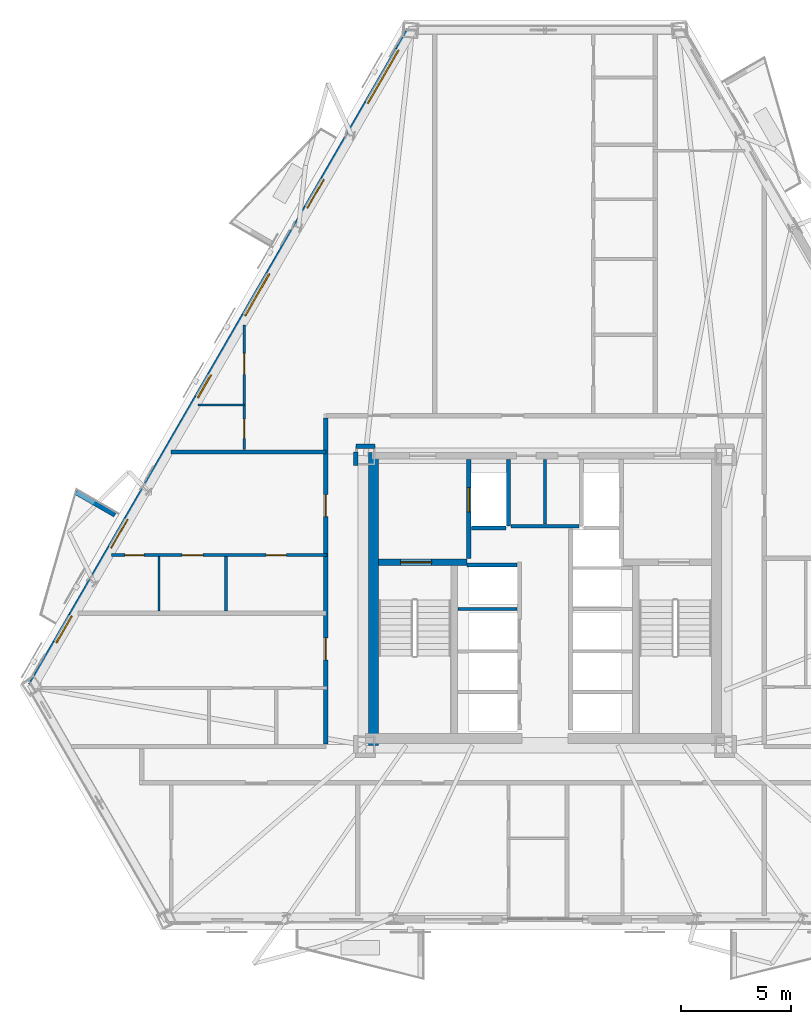
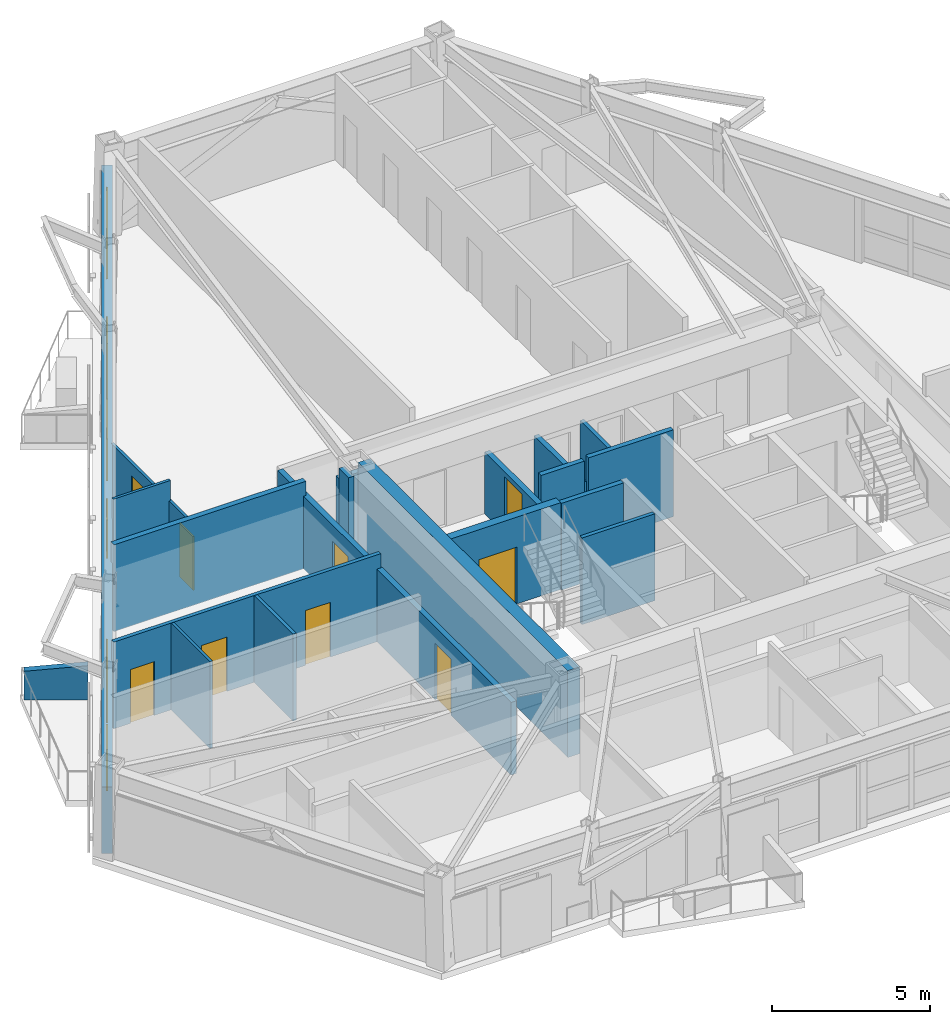
# One storey, part 8 of 15: 20 walls, 11 doors, 4 windows, 15 openings.
"""IFC4 building model written with IfcOpenShell, lengths in metres."""

from ifc_helpers import new_model, si_unit, direction, frame, frame_2d, origin, place, context, subcontext, project, spatial, polyline, rectangle, outline, extrude, material, layer, layer_set, type_object, element, fill, save


model = new_model("IFC4")

# Units and contexts
model_context = context("Model", 3, precision=1e-05, world=origin(), true_north=direction((0.0, 1.0)))
body_context = subcontext(model_context, "Body", "Model", "MODEL_VIEW")
ifc_project = project(units=[si_unit("LENGTHUNIT", "METRE"), si_unit("AREAUNIT", "SQUARE_METRE"), si_unit("VOLUMEUNIT", "CUBIC_METRE"), si_unit("PLANEANGLEUNIT", "RADIAN"), si_unit("MASSUNIT", "GRAM", prefix="KILO")], contexts=[model_context])

# Site, building, storey
site_placement = place(None, origin())
site = spatial("IfcSite", under=ifc_project, at=site_placement, CompositionType="ELEMENT")
building_placement = place(site_placement, origin())
building = spatial("IfcBuilding", under=site, at=building_placement, Name="Oramaril Tower", CompositionType="ELEMENT")
storey_placement = place(building_placement, frame((0.0, 0.0, 93.300048828125)))
storey = spatial("IfcBuildingStorey", under=building, at=storey_placement, Name="L24", CompositionType="ELEMENT", Elevation=93.300048828125)

# Wall, openings, doors, windows
ifc_material_1 = material(Name="Warm Cream Limestone", Category="masonry")
ifc_layer_1 = layer(ifc_material_1, 0.340087890625)
ifc_layer_set_1 = layer_set([ifc_layer_1], Name="WT-EXT34")
wall_type_1 = type_object("IfcWallType", Name="WT-EXT34", PredefinedType="SOLIDWALL", material=ifc_layer_set_1)
wall_1_placement = place(storey_placement, frame((31.375244140625, 43.4716796875, 0.0), z_axis=(0.0, 0.0, 1.0), x_axis=(-0.499996390212, -0.866027487886, 0.0)))
wall_1 = element("IfcWall", 1, at=wall_1_placement, inside=storey, type_object=wall_type_1, Name="L24 Tower Limestone Facade Wall 6M", PredefinedType="SOLIDWALL", context=body_context, shape_type="SweptSolid", body=[
    extrude(rectangle(XDim=34.356201171875, YDim=0.340087890625, at=frame_2d((17.17822265625, 0.0))), origin(), (0.0, 0.0, 1.0), 2.577880859375),
])
opening_1_placement = place(wall_1_placement, frame((7.824462890625, 0.0, 0.0)))
opening_1 = element("IfcOpeningElement", 2, at=opening_1_placement, cuts=wall_1, Name="Opening D-L24-BAL-NW1", PredefinedType="OPENING", context=body_context, shape_type="SweptSolid", body=[
    extrude(rectangle(XDim=1.5, YDim=2.199951171875, at=frame_2d((0.75, 1.10009765625))), frame((0.0, 0.169921875, 0.0), z_axis=(0.0, -1.0, 0.0), x_axis=(1.0, 0.0, 0.0)), (0.0, 0.0, 1.0), 0.340087890625),
])
opening_2_placement = place(wall_1_placement, frame((25.64697265625, 0.0, 0.0)))
opening_2 = element("IfcOpeningElement", 3, at=opening_2_placement, cuts=wall_1, Name="Opening D-L24-BAL-NW2", PredefinedType="OPENING", context=body_context, shape_type="SweptSolid", body=[
    extrude(rectangle(XDim=1.5, YDim=2.199951171875, at=frame_2d((0.75, 1.10009765625))), frame((0.0, 0.169921875, 0.0), z_axis=(0.0, -1.0, 0.0), x_axis=(1.0, 0.0, 0.0)), (0.0, 0.0, 1.0), 0.340087890625),
])
opening_3_placement = place(wall_1_placement, frame((30.71533203125, 0.0, 0.85009765625)))
opening_3 = element("IfcOpeningElement", 4, at=opening_3_placement, cuts=wall_1, Name="Opening WN-08", PredefinedType="OPENING", context=body_context, shape_type="SweptSolid", body=[
    extrude(rectangle(XDim=1.39990234375, YDim=1.60009765625, at=frame_2d((0.699951171875, 0.800048828125))), frame((0.0, 0.169921875, 0.0), z_axis=(0.0, -1.0, 0.0), x_axis=(1.0, 0.0, 0.0)), (0.0, 0.0, 1.0), 0.340087890625),
])
opening_4_placement = place(wall_1_placement, frame((1.038330078125, 0.0, 0.85009765625)))
opening_4 = element("IfcOpeningElement", 5, at=opening_4_placement, cuts=wall_1, Name="Opening WN-01", PredefinedType="OPENING", context=body_context, shape_type="SweptSolid", body=[
    extrude(rectangle(XDim=2.800048828125, YDim=1.617919921875, at=frame_2d((1.39990234375, 0.80908203125))), frame((0.0, 0.169921875, 0.0), z_axis=(0.0, -1.0, 0.0), x_axis=(1.0, 0.0, 0.0)), (0.0, 0.0, 1.0), 0.340087890625),
])
opening_5_placement = place(wall_1_placement, frame((12.775390625, 0.0, 0.85009765625)))
opening_5 = element("IfcOpeningElement", 6, at=opening_5_placement, cuts=wall_1, Name="Opening WN-04", PredefinedType="OPENING", context=body_context, shape_type="SweptSolid", body=[
    extrude(rectangle(XDim=2.199951171875, YDim=1.617919921875, at=frame_2d((1.10009765625, 0.80908203125))), frame((0.0, 0.169921875, 0.0), z_axis=(0.0, -1.0, 0.0), x_axis=(1.0, 0.0, 0.0)), (0.0, 0.0, 1.0), 0.340087890625),
])
opening_6_placement = place(wall_1_placement, frame((18.06982421875, 0.0, 0.85009765625)))
opening_6 = element("IfcOpeningElement", 7, at=opening_6_placement, cuts=wall_1, Name="Opening WN-09", PredefinedType="OPENING", context=body_context, shape_type="SweptSolid", body=[
    extrude(rectangle(XDim=1.199951171875, YDim=1.47998046875, at=frame_2d((0.60009765625, 0.739990234375))), frame((0.0, 0.169921875, 0.0), z_axis=(0.0, -1.0, 0.0), x_axis=(1.0, 0.0, 0.0)), (0.0, 0.0, 1.0), 0.340087890625),
])
ifc_material_2 = material(Name="Anodised Aluminium 6063-T6", Category="aluminium")
door_type_1 = type_object("IfcDoorType", Name="DT-BAL", OperationType="NOTDEFINED", PredefinedType="DOOR", material=ifc_material_2)
door_1_placement = place(opening_1_placement, origin())
door_1 = element("IfcDoor", 8, at=door_1_placement, inside=storey, type_object=door_type_1, Name="L24 Balcony Glazed Door L24-BAL-NW1", OperationType="SINGLE_SWING_LEFT", OverallHeight=2.199951171875, OverallWidth=1.5, PredefinedType="DOOR", context=body_context, shape_type="SweptSolid", body=[
    extrude(rectangle(XDim=1.5, YDim=2.199951171875, at=frame_2d((0.75, 1.10009765625))), frame((0.0, 0.02490234375, 0.0), z_axis=(0.0, -1.0, 0.0), x_axis=(1.0, 0.0, 0.0)), (0.0, 0.0, 1.0), 0.050048828125),
])
fill(opening_1, door_1)
door_2_placement = place(opening_2_placement, origin())
door_2 = element("IfcDoor", 9, at=door_2_placement, inside=storey, type_object=door_type_1, Name="L24 Balcony Glazed Door L24-BAL-NW2", OperationType="SINGLE_SWING_RIGHT", OverallHeight=2.199951171875, OverallWidth=1.5, PredefinedType="DOOR", context=body_context, shape_type="SweptSolid", body=[
    extrude(rectangle(XDim=1.5, YDim=2.199951171875, at=frame_2d((0.75, 1.10009765625))), frame((0.0, 0.02490234375, 0.0), z_axis=(0.0, -1.0, 0.0), x_axis=(1.0, 0.0, 0.0)), (0.0, 0.0, 1.0), 0.050048828125),
])
fill(opening_2, door_2)
ifc_material_3 = material(Name="Coastal Low-E Insulated Glass", Category="glass")
window_type_1 = type_object("IfcWindowType", Name="WNT-01", PartitioningType="SINGLE_PANEL", PredefinedType="WINDOW", material=ifc_material_3)
window_1_placement = place(opening_4_placement, origin())
window_1 = element("IfcWindow", 10, at=window_1_placement, inside=storey, type_object=window_type_1, Name="L24 Chicago Bay Window WN-01", OverallHeight=1.617919921875, OverallWidth=2.800048828125, PartitioningType="SINGLE_PANEL", PredefinedType="WINDOW", context=body_context, shape_type="SweptSolid", body=[
    extrude(rectangle(XDim=2.800048828125, YDim=1.617919921875, at=frame_2d((1.39990234375, 0.80908203125))), frame((0.0, 0.030029296875, 0.0), z_axis=(0.0, -1.0, 0.0), x_axis=(1.0, 0.0, 0.0)), (0.0, 0.0, 1.0), 0.06005859375),
])
fill(opening_4, window_1)
ifc_material_4 = material(Name="Coastal Low-E Insulated Glass", Category="glass")
window_type_2 = type_object("IfcWindowType", Name="WNT-04", PartitioningType="SINGLE_PANEL", PredefinedType="WINDOW", material=ifc_material_4)
window_2_placement = place(opening_5_placement, origin())
window_2 = element("IfcWindow", 11, at=window_2_placement, inside=storey, type_object=window_type_2, Name="L24 Chicago Bay Window WN-04", OverallHeight=1.617919921875, OverallWidth=2.199951171875, PartitioningType="SINGLE_PANEL", PredefinedType="WINDOW", context=body_context, shape_type="SweptSolid", body=[
    extrude(rectangle(XDim=2.199951171875, YDim=1.617919921875, at=frame_2d((1.10009765625, 0.80908203125))), frame((0.0, 0.030029296875, 0.0), z_axis=(0.0, -1.0, 0.0), x_axis=(1.0, 0.0, 0.0)), (0.0, 0.0, 1.0), 0.06005859375),
])
fill(opening_5, window_2)
ifc_material_5 = material(Name="Coastal Low-E Insulated Glass", Category="glass")
window_type_3 = type_object("IfcWindowType", Name="WNT-08", PartitioningType="SINGLE_PANEL", PredefinedType="WINDOW", material=ifc_material_5)
window_3_placement = place(opening_3_placement, origin())
window_3 = element("IfcWindow", 12, at=window_3_placement, inside=storey, type_object=window_type_3, Name="L24 Chicago Bay Window WN-08", OverallHeight=1.60009765625, OverallWidth=1.39990234375, PartitioningType="SINGLE_PANEL", PredefinedType="WINDOW", context=body_context, shape_type="SweptSolid", body=[
    extrude(rectangle(XDim=1.39990234375, YDim=1.60009765625, at=frame_2d((0.699951171875, 0.800048828125))), frame((0.0, 0.030029296875, 0.0), z_axis=(0.0, -1.0, 0.0), x_axis=(1.0, 0.0, 0.0)), (0.0, 0.0, 1.0), 0.06005859375),
])
fill(opening_3, window_3)
ifc_material_6 = material(Name="Coastal Low-E Insulated Glass", Category="glass")
window_type_4 = type_object("IfcWindowType", Name="WNT-09", PartitioningType="SINGLE_PANEL", PredefinedType="WINDOW", material=ifc_material_6)
window_4_placement = place(opening_6_placement, origin())
window_4 = element("IfcWindow", 13, at=window_4_placement, inside=storey, type_object=window_type_4, Name="L24 Chicago Bay Window WN-09", OverallHeight=1.47998046875, OverallWidth=1.199951171875, PartitioningType="SINGLE_PANEL", PredefinedType="WINDOW", context=body_context, shape_type="SweptSolid", body=[
    extrude(rectangle(XDim=1.199951171875, YDim=1.47998046875, at=frame_2d((0.60009765625, 0.739990234375))), frame((0.0, 0.030029296875, 0.0), z_axis=(0.0, -1.0, 0.0), x_axis=(1.0, 0.0, 0.0)), (0.0, 0.0, 1.0), 0.06005859375),
])
fill(opening_6, window_4)

# Walls
ifc_material_7 = material(Name="Concrete C40/50", Category="concrete")
ifc_layer_2 = layer(ifc_material_7, 0.22998046875)
ifc_layer_set_2 = layer_set([ifc_layer_2], Name="WT-PRP23")
wall_type_2 = type_object("IfcWallType", Name="WT-PRP23", PredefinedType="PARAPET", material=ifc_layer_set_2)
wall_2_placement = place(storey_placement, frame((17.9814453125, 21.468994140625, 0.0), z_axis=(0.0, 0.0, 1.0), x_axis=(-0.866012356593, 0.500022597718, 0.0)))
element("IfcWall", 14, at=wall_2_placement, inside=storey, type_object=wall_type_2, Name="L24 Trapezoidal Balcony Frame Cheek L24-BAL-NW2-L", PredefinedType="PARAPET", context=body_context, shape_type="SweptSolid", body=[
    extrude(outline(polyline([(0.0, 0.0), (2.0419921875, 0.0), (2.0419921875, 1.099853515625), (0.0, 1.320068359375), (0.0, 0.0)])), frame((0.0, 0.114990234375, 0.0), z_axis=(0.0, -1.0, 0.0), x_axis=(1.0, 0.0, 0.0)), (0.0, 0.0, 1.0), 0.22998046875),
])
ifc_material_8 = material(Name="Acoustic Gypsum Board Partition")
ifc_layer_3 = layer(ifc_material_8, 0.10009765625)
ifc_layer_set_3 = layer_set([ifc_layer_3], Name="WT-PT10")
wall_type_3 = type_object("IfcWallType", Name="WT-PT10", PredefinedType="PARTITIONING", material=ifc_layer_set_3)
wall_3_placement = place(storey_placement, frame((21.75439453125, 26.4599609375, 0.0), z_axis=(0.0, 0.0, 1.0), x_axis=(1.0, 0.0, 0.0)))
element("IfcWall", 15, at=wall_3_placement, inside=storey, type_object=wall_type_3, Name="L24 Interior Partition PT-10", PredefinedType="PARTITIONING", context=body_context, shape_type="SweptSolid", body=[
    extrude(rectangle(XDim=2.099365234375, YDim=0.10009765625, at=frame_2d((1.0498046875, 0.0))), origin(), (0.0, 0.0, 1.0), 3.35986328125),
])
wall_4_placement = place(storey_placement, frame((19.969970703125, 17.10400390625, 0.0), z_axis=(0.0, 0.0, 1.0), x_axis=(0.0, 1.0, 0.0)))
element("IfcWall", 16, at=wall_4_placement, inside=storey, type_object=wall_type_3, Name="L24 Interior Partition PT-10", PredefinedType="PARTITIONING", context=body_context, shape_type="SweptSolid", body=[
    extrude(rectangle(XDim=2.4619140625, YDim=0.10009765625, at=frame_2d((1.23095703125, 0.0))), origin(), (0.0, 0.0, 1.0), 3.35986328125),
])

# Wall, openings, doors
wall_5_placement = place(storey_placement, frame((23.85009765625, 24.424072265625, 0.0), z_axis=(0.0, 0.0, 1.0), x_axis=(0.0, 1.0, 0.0)))
wall_5 = element("IfcWall", 17, at=wall_5_placement, inside=storey, type_object=wall_type_3, Name="L24 Interior Partition PT-10", PredefinedType="PARTITIONING", context=body_context, shape_type="SweptSolid", body=[
    extrude(rectangle(XDim=5.66552734375, YDim=0.10009765625, at=frame_2d((2.832763671875, 0.0))), origin(), (0.0, 0.0, 1.0), 2.577880859375),
])
opening_7_placement = place(wall_5_placement, frame((0.510986328125, 0.0, 0.0)))
opening_7 = element("IfcOpeningElement", 18, at=opening_7_placement, cuts=wall_5, Name="Opening D-L24-19", PredefinedType="OPENING", context=body_context, shape_type="SweptSolid", body=[
    extrude(rectangle(XDim=0.8798828125, YDim=2.080078125, at=frame_2d((0.43994140625, 1.0400390625))), frame((0.0, 0.050048828125, 0.0), z_axis=(0.0, -1.0, 0.0), x_axis=(1.0, 0.0, 0.0)), (0.0, 0.0, 1.0), 0.10009765625),
])
opening_8_placement = place(wall_5_placement, frame((3.41796875, 0.0, 0.0)))
opening_8 = element("IfcOpeningElement", 19, at=opening_8_placement, cuts=wall_5, Name="Opening D-L24-20", PredefinedType="OPENING", context=body_context, shape_type="SweptSolid", body=[
    extrude(rectangle(XDim=0.949951171875, YDim=2.10009765625, at=frame_2d((0.47509765625, 1.050048828125))), frame((0.0, 0.050048828125, 0.0), z_axis=(0.0, -1.0, 0.0), x_axis=(1.0, 0.0, 0.0)), (0.0, 0.0, 1.0), 0.10009765625),
])
ifc_material_9 = material(Name="FSC Brazilian Freijo Hardwood", Category="wood")
door_type_2 = type_object("IfcDoorType", Name="DT-BATH", OperationType="NOTDEFINED", PredefinedType="DOOR", material=ifc_material_9)
door_3_placement = place(opening_7_placement, origin())
door_3 = element("IfcDoor", 20, at=door_3_placement, inside=storey, type_object=door_type_2, Name="L24 Flat L24-U8 Bathroom Door D-L24-19", OperationType="SINGLE_SWING_LEFT", OverallHeight=2.080078125, OverallWidth=0.8798828125, PredefinedType="DOOR", context=body_context, shape_type="SweptSolid", body=[
    extrude(rectangle(XDim=0.8798828125, YDim=2.080078125, at=frame_2d((0.43994140625, 1.0400390625))), frame((0.0, 0.02490234375, 0.0), z_axis=(0.0, -1.0, 0.0), x_axis=(1.0, 0.0, 0.0)), (0.0, 0.0, 1.0), 0.050048828125),
])
fill(opening_7, door_3)
ifc_material_10 = material(Name="FSC Brazilian Freijo Hardwood", Category="wood")
door_type_3 = type_object("IfcDoorType", Name="DT-STDY", OperationType="NOTDEFINED", PredefinedType="DOOR", material=ifc_material_10)
door_4_placement = place(opening_8_placement, origin())
door_4 = element("IfcDoor", 21, at=door_4_placement, inside=storey, type_object=door_type_3, Name="L24 Flat L24-U8 Kitchen Door D-L24-20", OperationType="SINGLE_SWING_RIGHT", OverallHeight=2.10009765625, OverallWidth=0.949951171875, PredefinedType="DOOR", context=body_context, shape_type="SweptSolid", body=[
    extrude(rectangle(XDim=0.949951171875, YDim=2.10009765625, at=frame_2d((0.47509765625, 1.050048828125))), frame((0.0, 0.02490234375, 0.0), z_axis=(0.0, -1.0, 0.0), x_axis=(1.0, 0.0, 0.0)), (0.0, 0.0, 1.0), 0.050048828125),
])
fill(opening_8, door_4)

# Walls
ifc_material_11 = material(Name="Acoustic Gypsum Board Partition")
ifc_layer_4 = layer(ifc_material_11, 0.1201171875)
ifc_layer_set_4 = layer_set([ifc_layer_4], Name="WT-PT12")
wall_type_4 = type_object("IfcWallType", Name="WT-PT12", PredefinedType="PARTITIONING", material=ifc_layer_set_4)
wall_6_placement = place(storey_placement, frame((23.02001953125, 17.10400390625, 0.0), z_axis=(0.0, 0.0, 1.0), x_axis=(0.0, 1.0, 0.0)))
element("IfcWall", 22, at=wall_6_placement, inside=storey, type_object=wall_type_4, Name="L24 Interior Partition PT-12", PredefinedType="PARTITIONING", context=body_context, shape_type="SweptSolid", body=[
    extrude(rectangle(XDim=2.4619140625, YDim=0.1201171875, at=frame_2d((1.23095703125, 0.0))), origin(), (0.0, 0.0, 1.0), 3.35986328125),
])
ifc_material_12 = material(Name="Acoustic Gypsum Board Partition")
ifc_layer_5 = layer(ifc_material_12, 0.139892578125)
ifc_layer_set_5 = layer_set([ifc_layer_5], Name="WT-PT14")
wall_type_5 = type_object("IfcWallType", Name="WT-PT14", PredefinedType="PARTITIONING", material=ifc_layer_set_5)
wall_7_placement = place(storey_placement, frame((33.56005859375, 17.199951171875, 0.0), z_axis=(0.0, 0.0, 1.0), x_axis=(1.0, 0.0, 0.0)))
element("IfcWall", 23, at=wall_7_placement, inside=storey, type_object=wall_type_5, Name="L24 West Lift Divider", PredefinedType="PARTITIONING", context=body_context, shape_type="SweptSolid", body=[
    extrude(rectangle(XDim=2.659912109375, YDim=0.139892578125, at=frame_2d((1.330078125, 0.0))), origin(), (0.0, 0.0, 1.0), 3.35986328125),
])
wall_8_placement = place(storey_placement, frame((37.5, 21.06005859375, 0.0), z_axis=(0.0, 0.0, 1.0), x_axis=(0.0, 1.0, 0.0)))
element("IfcWall", 24, at=wall_8_placement, inside=storey, type_object=wall_type_5, Name="L24 Core Service Divider", PredefinedType="PARTITIONING", context=body_context, shape_type="SweptSolid", body=[
    extrude(rectangle(XDim=2.919921875, YDim=0.139892578125, at=frame_2d((1.4599609375, 0.0))), origin(), (0.0, 0.0, 1.0), 2.39990234375),
])

# Wall, openings, doors
wall_9_placement = place(storey_placement, frame((17.81689453125, 19.639892578125, 0.0), z_axis=(0.0, 0.0, 1.0), x_axis=(1.0, 0.0, 0.0)))
wall_9 = element("IfcWall", 25, at=wall_9_placement, inside=storey, type_object=wall_type_5, Name="L24 Interior Partition PT-14", PredefinedType="PARTITIONING", context=body_context, shape_type="SweptSolid", body=[
    extrude(rectangle(XDim=9.783203125, YDim=0.139892578125, at=frame_2d((4.8916015625, 0.0))), origin(), (0.0, 0.0, 1.0), 3.35986328125),
])
opening_9_placement = place(wall_9_placement, frame((0.608154296875, 0.0, 0.0)))
opening_9 = element("IfcOpeningElement", 26, at=opening_9_placement, cuts=wall_9, Name="Opening D-L24-11", PredefinedType="OPENING", context=body_context, shape_type="SweptSolid", body=[
    extrude(rectangle(XDim=0.8798828125, YDim=2.080078125, at=frame_2d((0.43994140625, 1.0400390625))), frame((0.0, 0.06982421875, 0.0), z_axis=(0.0, -1.0, 0.0), x_axis=(1.0, 0.0, 0.0)), (0.0, 0.0, 1.0), 0.139892578125),
])
opening_10_placement = place(wall_9_placement, frame((3.206787109375, 0.0, 0.0)))
opening_10 = element("IfcOpeningElement", 27, at=opening_10_placement, cuts=wall_9, Name="Opening D-L24-12", PredefinedType="OPENING", context=body_context, shape_type="SweptSolid", body=[
    extrude(rectangle(XDim=0.949951171875, YDim=2.10009765625, at=frame_2d((0.47509765625, 1.050048828125))), frame((0.0, 0.06982421875, 0.0), z_axis=(0.0, -1.0, 0.0), x_axis=(1.0, 0.0, 0.0)), (0.0, 0.0, 1.0), 0.139892578125),
])
opening_11_placement = place(wall_9_placement, frame((7.02490234375, 0.0, 0.0)))
opening_11 = element("IfcOpeningElement", 28, at=opening_11_placement, cuts=wall_9, Name="Opening D-L24-13", PredefinedType="OPENING", context=body_context, shape_type="SweptSolid", body=[
    extrude(rectangle(XDim=0.919921875, YDim=2.1201171875, at=frame_2d((0.4599609375, 1.06005859375))), frame((0.0, 0.06982421875, 0.0), z_axis=(0.0, -1.0, 0.0), x_axis=(1.0, 0.0, 0.0)), (0.0, 0.0, 1.0), 0.139892578125),
])
door_5_placement = place(opening_9_placement, origin())
door_5 = element("IfcDoor", 29, at=door_5_placement, inside=storey, type_object=door_type_2, Name="L24 Flat L24-U5 Bathroom Door D-L24-11", OperationType="SINGLE_SWING_LEFT", OverallHeight=2.080078125, OverallWidth=0.8798828125, PredefinedType="DOOR", context=body_context, shape_type="SweptSolid", body=[
    extrude(rectangle(XDim=0.8798828125, YDim=2.080078125, at=frame_2d((0.43994140625, 1.0400390625))), frame((0.0, 0.02490234375, 0.0), z_axis=(0.0, -1.0, 0.0), x_axis=(1.0, 0.0, 0.0)), (0.0, 0.0, 1.0), 0.050048828125),
])
fill(opening_9, door_5)
ifc_material_13 = material(Name="FSC Brazilian Freijo Hardwood", Category="wood")
door_type_4 = type_object("IfcDoorType", Name="DT-BED", OperationType="NOTDEFINED", PredefinedType="DOOR", material=ifc_material_13)
door_6_placement = place(opening_11_placement, origin())
door_6 = element("IfcDoor", 30, at=door_6_placement, inside=storey, type_object=door_type_4, Name="L24 Flat L24-U5 Master Bedroom Door D-L24-13", OperationType="SINGLE_SWING_LEFT", OverallHeight=2.1201171875, OverallWidth=0.919921875, PredefinedType="DOOR", context=body_context, shape_type="SweptSolid", body=[
    extrude(rectangle(XDim=0.919921875, YDim=2.1201171875, at=frame_2d((0.4599609375, 1.06005859375))), frame((0.0, 0.02490234375, 0.0), z_axis=(0.0, -1.0, 0.0), x_axis=(1.0, 0.0, 0.0)), (0.0, 0.0, 1.0), 0.050048828125),
])
fill(opening_11, door_6)
door_7_placement = place(opening_10_placement, origin())
door_7 = element("IfcDoor", 31, at=door_7_placement, inside=storey, type_object=door_type_3, Name="L24 Flat L24-U5 Kitchen Door D-L24-12", OperationType="SINGLE_SWING_RIGHT", OverallHeight=2.10009765625, OverallWidth=0.949951171875, PredefinedType="DOOR", context=body_context, shape_type="SweptSolid", body=[
    extrude(rectangle(XDim=0.949951171875, YDim=2.10009765625, at=frame_2d((0.47509765625, 1.050048828125))), frame((0.0, 0.02490234375, 0.0), z_axis=(0.0, -1.0, 0.0), x_axis=(1.0, 0.0, 0.0)), (0.0, 0.0, 1.0), 0.050048828125),
])
fill(opening_10, door_7)

# Walls
ifc_material_14 = material(Name="Autoclaved Cellular Concrete Block", Category="concrete")
ifc_layer_6 = layer(ifc_material_14, 0.179931640625)
ifc_layer_set_6 = layer_set([ifc_layer_6], Name="WT-PT18")
wall_type_6 = type_object("IfcWallType", Name="WT-PT18", PredefinedType="PARTITIONING", material=ifc_layer_set_6)
wall_10_placement = place(storey_placement, frame((35.840087890625, 20.9599609375, 0.0), z_axis=(0.0, 0.0, 1.0), x_axis=(0.0, 1.0, 0.0)))
element("IfcWall", 32, at=wall_10_placement, inside=storey, type_object=wall_type_6, Name="L24 FL-1 East Shaft Wall", PredefinedType="PARTITIONING", context=body_context, shape_type="SweptSolid", body=[
    extrude(rectangle(XDim=3.02001953125, YDim=0.179931640625, at=frame_2d((1.510009765625, 0.0))), origin(), (0.0, 0.0, 1.0), 2.39990234375),
])
wall_11_placement = place(storey_placement, frame((34.159912109375, 20.860107421875, 0.0), z_axis=(0.0, 0.0, 1.0), x_axis=(1.0, 0.0, 0.0)))
element("IfcWall", 33, at=wall_11_placement, inside=storey, type_object=wall_type_6, Name="L24 FL-1 South Shaft Wall", PredefinedType="PARTITIONING", context=body_context, shape_type="SweptSolid", body=[
    extrude(rectangle(XDim=1.580078125, YDim=0.179931640625, at=frame_2d((0.7900390625, 0.0))), origin(), (0.0, 0.0, 1.0), 3.35986328125),
])
wall_12_placement = place(storey_placement, frame((33.949951171875, 19.199951171875, 0.0), z_axis=(0.0, 0.0, 1.0), x_axis=(1.0, 0.0, 0.0)))
element("IfcWall", 34, at=wall_12_placement, inside=storey, type_object=wall_type_6, Name="L24 High-Rise Lift H1 North Shaft Wall", PredefinedType="PARTITIONING", context=body_context, shape_type="SweptSolid", body=[
    extrude(rectangle(XDim=2.27001953125, YDim=0.179931640625, at=frame_2d((1.135009765625, 0.0))), origin(), (0.0, 0.0, 1.0), 3.35986328125),
])
wall_13_placement = place(storey_placement, frame((35.949951171875, 20.949951171875, 0.0), z_axis=(0.0, 0.0, 1.0), x_axis=(1.0, 0.0, 0.0)))
element("IfcWall", 35, at=wall_13_placement, inside=storey, type_object=wall_type_6, Name="L24 Lift Lobby North Partition", PredefinedType="PARTITIONING", context=body_context, shape_type="SweptSolid", body=[
    extrude(rectangle(XDim=3.10009765625, YDim=0.179931640625, at=frame_2d((1.550048828125, 0.0))), origin(), (0.0, 0.0, 1.0), 3.35986328125),
])
ifc_material_15 = material(Name="Autoclaved Cellular Concrete Block", Category="concrete")
ifc_layer_7 = layer(ifc_material_15, 0.199951171875)
ifc_layer_set_7 = layer_set([ifc_layer_7], Name="WT-PT20")
wall_type_7 = type_object("IfcWallType", Name="WT-PT20", PredefinedType="PARTITIONING", material=ifc_layer_set_7)
wall_14_placement = place(storey_placement, frame((20.51904296875, 24.320068359375, 0.0), z_axis=(0.0, 0.0, 1.0), x_axis=(1.0, 0.0, 0.0)))
element("IfcWall", 36, at=wall_14_placement, inside=storey, type_object=wall_type_7, Name="L24 Interior Partition PT-20", PredefinedType="PARTITIONING", context=body_context, shape_type="SweptSolid", body=[
    extrude(rectangle(XDim=7.031005859375, YDim=0.199951171875, at=frame_2d((3.515625, 0.0))), origin(), (0.0, 0.0, 1.0), 3.35986328125),
])
wall_15_placement = place(storey_placement, frame((28.909912109375, 24.590087890625, 0.0), z_axis=(0.0, 0.0, 1.0), x_axis=(1.0, 0.0, 0.0)))
element("IfcWall", 37, at=wall_15_placement, inside=storey, type_object=wall_type_7, Name="L24 Interior Partition PT-20", PredefinedType="PARTITIONING", context=body_context, shape_type="SweptSolid", body=[
    extrude(rectangle(XDim=0.880126953125, YDim=0.199951171875, at=frame_2d((0.43994140625, 0.0))), origin(), (0.0, 0.0, 1.0), 2.81396484375),
])

# Wall, openings, doors
wall_16_placement = place(storey_placement, frame((27.550048828125, 11.053955078125, 0.0), z_axis=(0.0, 0.0, 1.0), x_axis=(0.0, 1.0, 0.0)))
wall_16 = element("IfcWall", 38, at=wall_16_placement, inside=storey, type_object=wall_type_7, Name="L24 Interior Partition PT-20", PredefinedType="PARTITIONING", context=body_context, shape_type="SweptSolid", body=[
    extrude(rectangle(XDim=14.81201171875, YDim=0.199951171875, at=frame_2d((7.406005859375, 0.0))), origin(), (0.0, 0.0, 1.0), 2.81396484375),
])
opening_12_placement = place(wall_16_placement, frame((3.8251953125, 0.0, 0.0)))
opening_12 = element("IfcOpeningElement", 39, at=opening_12_placement, cuts=wall_16, Name="Opening D-L24-21", PredefinedType="OPENING", context=body_context, shape_type="SweptSolid", body=[
    extrude(rectangle(XDim=1.0, YDim=2.179931640625, at=frame_2d((0.5, 1.08984375))), frame((0.0, 0.10009765625, 0.0), z_axis=(0.0, -1.0, 0.0), x_axis=(1.0, 0.0, 0.0)), (0.0, 0.0, 1.0), 0.199951171875),
])
opening_13_placement = place(wall_16_placement, frame((10.32763671875, 0.0, 0.0)))
opening_13 = element("IfcOpeningElement", 40, at=opening_13_placement, cuts=wall_16, Name="Opening D-L24-22", PredefinedType="OPENING", context=body_context, shape_type="SweptSolid", body=[
    extrude(rectangle(XDim=1.0, YDim=2.179931640625, at=frame_2d((0.5, 1.08984375))), frame((0.0, 0.10009765625, 0.0), z_axis=(0.0, -1.0, 0.0), x_axis=(1.0, 0.0, 0.0)), (0.0, 0.0, 1.0), 0.199951171875),
])
ifc_material_16 = material(Name="FSC Brazilian Freijo Hardwood", Category="wood")
door_type_5 = type_object("IfcDoorType", Name="DT-APT", OperationType="NOTDEFINED", PredefinedType="DOOR", material=ifc_material_16)
door_8_placement = place(opening_12_placement, origin())
door_8 = element("IfcDoor", 41, at=door_8_placement, inside=storey, type_object=door_type_5, Name="L24 Flat L24-U4 Living and Dining Room Door D-L24-21", OperationType="SINGLE_SWING_LEFT", OverallHeight=2.179931640625, OverallWidth=1.0, PredefinedType="DOOR", context=body_context, shape_type="SweptSolid", body=[
    extrude(rectangle(XDim=1.0, YDim=2.179931640625, at=frame_2d((0.5, 1.08984375))), frame((0.0, 0.02490234375, 0.0), z_axis=(0.0, -1.0, 0.0), x_axis=(1.0, 0.0, 0.0)), (0.0, 0.0, 1.0), 0.050048828125),
])
fill(opening_12, door_8)
door_9_placement = place(opening_13_placement, origin())
door_9 = element("IfcDoor", 42, at=door_9_placement, inside=storey, type_object=door_type_5, Name="L24 Flat L24-U5 Living and Dining Room Door D-L24-22", OperationType="SINGLE_SWING_RIGHT", OverallHeight=2.179931640625, OverallWidth=1.0, PredefinedType="DOOR", context=body_context, shape_type="SweptSolid", body=[
    extrude(rectangle(XDim=1.0, YDim=2.179931640625, at=frame_2d((0.5, 1.08984375))), frame((0.0, 0.02490234375, 0.0), z_axis=(0.0, -1.0, 0.0), x_axis=(1.0, 0.0, 0.0)), (0.0, 0.0, 1.0), 0.050048828125),
])
fill(opening_13, door_9)

# Wall
wall_17_placement = place(storey_placement, frame((28.909912109375, 23.7099609375, 0.0), z_axis=(0.0, 0.0, 1.0), x_axis=(0.0, 1.0, 0.0)))
element("IfcWall", 43, at=wall_17_placement, inside=storey, type_object=wall_type_7, Name="L24 Interior Partition PT-20", PredefinedType="PARTITIONING", context=body_context, shape_type="SweptSolid", body=[
    extrude(rectangle(XDim=0.610107421875, YDim=0.199951171875, at=frame_2d((0.30517578125, 0.0))), origin(), (0.0, 0.0, 1.0), 3.35986328125),
])

# Wall, opening, door
ifc_material_17 = material(Name="Concrete C50/60", Category="concrete")
ifc_layer_8 = layer(ifc_material_17, 0.300048828125)
ifc_layer_set_8 = layer_set([ifc_layer_8], Name="WT-SH30")
wall_type_8 = type_object("IfcWallType", Name="WT-SH30", PredefinedType="SHEAR", material=ifc_layer_set_8)
wall_18_placement = place(storey_placement, frame((29.93994140625, 19.31005859375, 0.0), z_axis=(0.0, 0.0, 1.0), x_axis=(1.0, 0.0, 0.0)))
wall_18 = element("IfcWall", 44, at=wall_18_placement, inside=storey, type_object=wall_type_8, Name="L24 Core Shear Wall CW-ST1N", PredefinedType="SHEAR", context=body_context, shape_type="SweptSolid", body=[
    extrude(rectangle(XDim=4.010009765625, YDim=0.300048828125, at=frame_2d((2.0048828125, 0.0))), origin(), (0.0, 0.0, 1.0), 3.35986328125),
])
opening_14_placement = place(wall_18_placement, frame((1.010009765625, 0.0, 0.0)))
opening_14 = element("IfcOpeningElement", 45, at=opening_14_placement, cuts=wall_18, Name="Opening D-L24-ST1", PredefinedType="OPENING", context=body_context, shape_type="SweptSolid", body=[
    extrude(rectangle(XDim=1.39990234375, YDim=2.199951171875, at=frame_2d((0.699951171875, 1.10009765625))), frame((0.0, 0.14990234375, 0.0), z_axis=(0.0, -1.0, 0.0), x_axis=(1.0, 0.0, 0.0)), (0.0, 0.0, 1.0), 0.300048828125),
])
ifc_material_18 = material(Name="Painted Galvanised Steel", Category="steel")
door_type_6 = type_object("IfcDoorType", Name="DT-ST", OperationType="NOTDEFINED", PredefinedType="DOOR", material=ifc_material_18)
door_10_placement = place(opening_14_placement, origin())
door_10 = element("IfcDoor", 46, at=door_10_placement, inside=storey, type_object=door_type_6, Name="L24 Protected Stair ST-1 Fire Door", OperationType="SINGLE_SWING_LEFT", OverallHeight=2.199951171875, OverallWidth=1.39990234375, PredefinedType="DOOR", context=body_context, shape_type="SweptSolid", body=[
    extrude(rectangle(XDim=1.39990234375, YDim=2.199951171875, at=frame_2d((0.699951171875, 1.10009765625))), frame((0.0, 0.02490234375, 0.0), z_axis=(0.0, -1.0, 0.0), x_axis=(1.0, 0.0, 0.0)), (0.0, 0.0, 1.0), 0.050048828125),
])
fill(opening_14, door_10)

# Wall
ifc_material_19 = material(Name="Concrete C50/60", Category="concrete")
ifc_layer_9 = layer(ifc_material_19, 0.449951171875)
ifc_layer_set_9 = layer_set([ifc_layer_9], Name="WT-SH45")
wall_type_9 = type_object("IfcWallType", Name="WT-SH45", PredefinedType="SHEAR", material=ifc_layer_set_9)
wall_19_placement = place(storey_placement, frame((29.715087890625, 11.0, 0.0), z_axis=(0.0, 0.0, 1.0), x_axis=(0.0, 1.0, 0.0)))
element("IfcWall", 47, at=wall_19_placement, inside=storey, type_object=wall_type_9, Name="L24 Core Shear Wall CW-W", PredefinedType="SHEAR", context=body_context, shape_type="SweptSolid", body=[
    extrude(rectangle(XDim=13.300048828125, YDim=0.449951171875, at=frame_2d((6.64990234375, 0.0))), origin(), (0.0, 0.0, 1.0), 3.35986328125),
])

# Wall, opening, door
ifc_material_20 = material(Name="Autoclaved Cellular Concrete Block", Category="concrete")
ifc_layer_10 = layer(ifc_material_20, 0.199951171875)
ifc_layer_set_10 = layer_set([ifc_layer_10], Name="WT-SHF20")
wall_type_10 = type_object("IfcWallType", Name="WT-SHF20", PredefinedType="PARTITIONING", material=ifc_layer_set_10)
wall_20_placement = place(storey_placement, frame((34.0400390625, 19.47998046875, 0.0), z_axis=(0.0, 0.0, 1.0), x_axis=(0.0, 1.0, 0.0)))
wall_20 = element("IfcWall", 48, at=wall_20_placement, inside=storey, type_object=wall_type_10, Name="L24 FL-1 Lobby Shaft Wall", PredefinedType="PARTITIONING", context=body_context, shape_type="SweptSolid", body=[
    extrude(rectangle(XDim=4.5, YDim=0.199951171875, at=frame_2d((2.25, 0.0))), origin(), (0.0, 0.0, 1.0), 2.39990234375),
])
opening_15_placement = place(wall_20_placement, frame((2.1201171875, 0.0, 0.0)))
opening_15 = element("IfcOpeningElement", 49, at=opening_15_placement, cuts=wall_20, Name="Opening LD-L24-FL-1", PredefinedType="OPENING", context=body_context, shape_type="SweptSolid", body=[
    extrude(rectangle(XDim=1.10009765625, YDim=2.199951171875, at=frame_2d((0.550048828125, 1.10009765625))), frame((0.0, 0.10009765625, 0.0), z_axis=(0.0, -1.0, 0.0), x_axis=(1.0, 0.0, 0.0)), (0.0, 0.0, 1.0), 0.199951171875),
])
ifc_material_21 = material(Name="Stainless Steel 316L", Category="steel")
door_type_7 = type_object("IfcDoorType", Name="DT-LD1", OperationType="NOTDEFINED", PredefinedType="DOOR", material=ifc_material_21)
door_11_placement = place(opening_15_placement, origin())
door_11 = element("IfcDoor", 50, at=door_11_placement, inside=storey, type_object=door_type_7, Name="L24 Lift FL-1 Sliding Landing Door", OperationType="SLIDING_TO_LEFT", OverallHeight=2.199951171875, OverallWidth=1.10009765625, PredefinedType="DOOR", context=body_context, shape_type="SweptSolid", body=[
    extrude(rectangle(XDim=1.10009765625, YDim=2.199951171875, at=frame_2d((0.550048828125, 1.10009765625))), frame((0.0, 0.02490234375, 0.0), z_axis=(0.0, -1.0, 0.0), x_axis=(1.0, 0.0, 0.0)), (0.0, 0.0, 1.0), 0.050048828125),
])
fill(opening_15, door_11)

save(model, "model.ifc")
